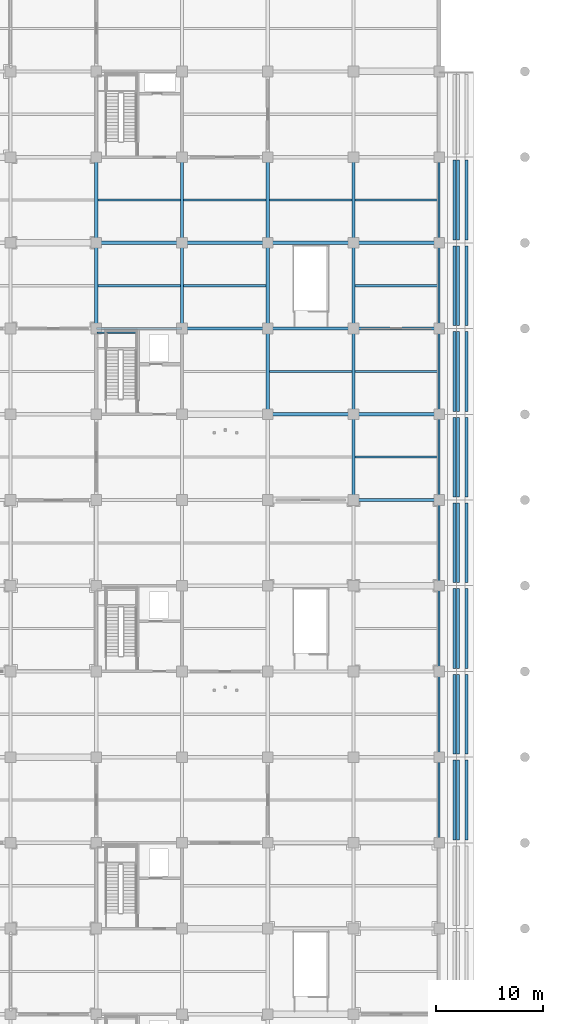
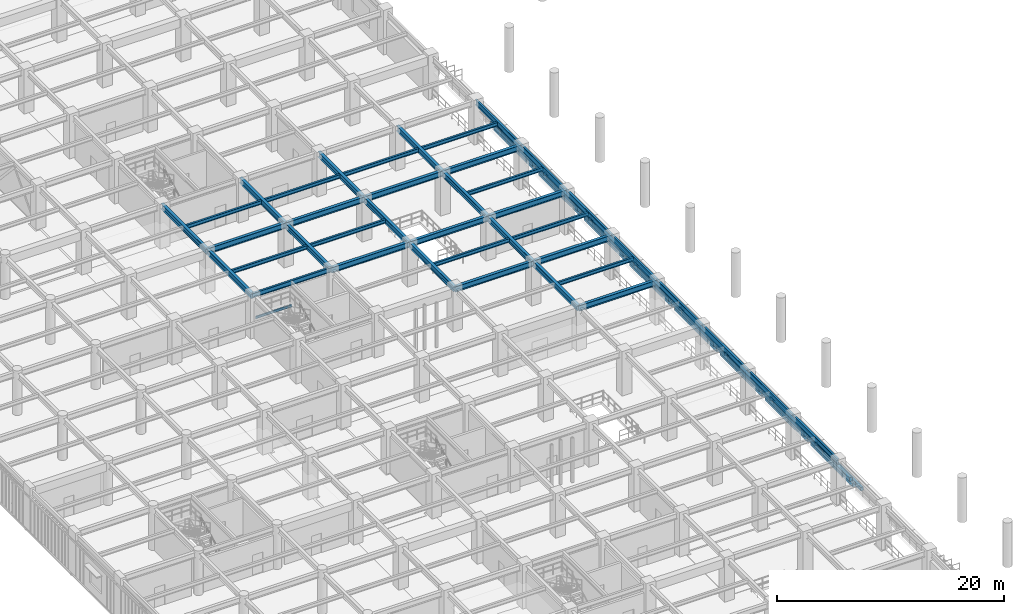
# One storey, part 24 of 117: 65 beams.
"""IFC4 building model written with IfcOpenShell, lengths in metres."""

from ifc_helpers import new_model, si_unit, direction, frame, origin, origin_2d, place, context, subcontext, project, spatial, rectangle, i_section, extrude, material, material_profile, profile_set, type_object, element, save


model = new_model("IFC4")

# Units and contexts
model_context = context("Model", 3, precision=1e-05, world=origin(), true_north=direction((0.0, 1.0)))
body_context = subcontext(model_context, "Body", "Model", "MODEL_VIEW")
ifc_project = project(units=[si_unit("LENGTHUNIT", "METRE"), si_unit("AREAUNIT", "SQUARE_METRE"), si_unit("VOLUMEUNIT", "CUBIC_METRE"), si_unit("PLANEANGLEUNIT", "RADIAN"), si_unit("MASSUNIT", "GRAM", prefix="KILO")], contexts=[model_context])

# Site, building, storey
site_placement = place(None, origin())
site = spatial("IfcSite", under=ifc_project, at=site_placement, CompositionType="ELEMENT")
building_placement = place(site_placement, origin())
building = spatial("IfcBuilding", under=site, at=building_placement, Name="Haebicheon Civic Stadium", CompositionType="ELEMENT")
storey_placement = place(building_placement, frame((0.0, 0.0, 4.800048828125)))
storey = spatial("IfcBuildingStorey", under=building, at=storey_placement, Name="L02", CompositionType="ELEMENT", Elevation=4.800048828125)

# Beams
ifc_material_1 = material(Name="Precast concrete C40/50", Category="concrete")
ifc_material_profile_1 = material_profile(ifc_material_1, rectangle(XDim=0.300048828125, YDim=0.39990234375, at=origin_2d()), Name="PC-LN-300x400")
ifc_profile_set_1 = profile_set([ifc_material_profile_1], Name="Precast concrete C40/50")
beam_type_1 = type_object("IfcBeamType", Name="BM-LN-300x400", PredefinedType="LINTEL", material=ifc_profile_set_1)
for number, where, z_axis, x_axis, name in (
    (1, (66.56005859375, 64.280029296875, 0.22705078125), (0.0, 1.0, 0.0), (-1.0, 0.0, 0.0), "TIER-W-L precast step carrier beam 3.7"),
    (2, (65.760009765625, 64.280029296875, 0.93798828125), (0.0, 1.0, 0.0), (-1.0, 0.0, 0.0), "TIER-W-L precast step carrier beam 3.8"),
    (3, (65.43994140625, 64.280029296875, 1.64892578125), (0.0, 1.0, 0.0), (-1.0, 0.0, 0.0), "TIER-W-L precast step carrier beam 3.9"),
    (4, (66.56005859375, 72.280029296875, 0.22705078125), (0.0, 1.0, 0.0), (-1.0, 0.0, 0.0), "TIER-W-L precast step carrier beam 4.7"),
    (5, (65.760009765625, 72.280029296875, 0.93798828125), (0.0, 1.0, 0.0), (-1.0, 0.0, 0.0), "TIER-W-L precast step carrier beam 4.8"),
    (6, (65.43994140625, 72.280029296875, 1.64892578125), (0.0, 1.0, 0.0), (-1.0, 0.0, 0.0), "TIER-W-L precast step carrier beam 4.9"),
    (7, (66.56005859375, 80.280029296875, 0.22705078125), (0.0, 1.0, 0.0), (-1.0, 0.0, 0.0), "TIER-W-L precast step carrier beam 5.7"),
    (8, (65.760009765625, 80.280029296875, 0.93798828125), (0.0, 1.0, 0.0), (-1.0, 0.0, 0.0), "TIER-W-L precast step carrier beam 5.8"),
    (9, (65.43994140625, 80.280029296875, 1.64892578125), (0.0, 1.0, 0.0), (-1.0, 0.0, 0.0), "TIER-W-L precast step carrier beam 5.9"),
    (10, (66.56005859375, 88.280029296875, 0.22705078125), (0.0, 1.0, 0.0), (-1.0, 0.0, 0.0), "TIER-W-L precast step carrier beam 6.7"),
    (11, (65.760009765625, 88.280029296875, 0.93798828125), (0.0, 1.0, 0.0), (-1.0, 0.0, 0.0), "TIER-W-L precast step carrier beam 6.8"),
    (12, (65.43994140625, 88.280029296875, 1.64892578125), (0.0, 1.0, 0.0), (-1.0, 0.0, 0.0), "TIER-W-L precast step carrier beam 6.9"),
    (13, (66.56005859375, 96.280029296875, 0.22705078125), (0.0, 1.0, 0.0), (-1.0, 0.0, 0.0), "TIER-W-L precast step carrier beam 7.7"),
    (14, (65.760009765625, 96.280029296875, 0.93798828125), (0.0, 1.0, 0.0), (-1.0, 0.0, 0.0), "TIER-W-L precast step carrier beam 7.8"),
    (15, (65.43994140625, 96.280029296875, 1.64892578125), (0.0, 1.0, 0.0), (-1.0, 0.0, 0.0), "TIER-W-L precast step carrier beam 7.9"),
    (16, (66.56005859375, 104.280029296875, 0.22705078125), (0.0, 1.0, 0.0), (-1.0, 0.0, 0.0), "TIER-W-L precast step carrier beam 8.7"),
    (17, (65.760009765625, 104.280029296875, 0.93798828125), (0.0, 1.0, 0.0), (-1.0, 0.0, 0.0), "TIER-W-L precast step carrier beam 8.8"),
    (18, (65.43994140625, 104.280029296875, 1.64892578125), (0.0, 1.0, 0.0), (-1.0, 0.0, 0.0), "TIER-W-L precast step carrier beam 8.9"),
    (19, (66.56005859375, 112.280029296875, 0.22705078125), (0.0, 1.0, 0.0), (-1.0, 0.0, 0.0), "TIER-W-L precast step carrier beam 9.7"),
    (20, (65.760009765625, 112.280029296875, 0.93798828125), (0.0, 1.0, 0.0), (-1.0, 0.0, 0.0), "TIER-W-L precast step carrier beam 9.8"),
    (21, (65.43994140625, 112.280029296875, 1.64892578125), (0.0, 1.0, 0.0), (-1.0, 0.0, 0.0), "TIER-W-L precast step carrier beam 9.9"),
    (22, (66.56005859375, 120.280029296875, 0.22705078125), (0.0, 1.0, 0.0), (-1.0, 0.0, 0.0), "TIER-W-L precast step carrier beam 10.7"),
    (23, (65.760009765625, 120.280029296875, 0.93798828125), (0.0, 1.0, 0.0), (-1.0, 0.0, 0.0), "TIER-W-L precast step carrier beam 10.8"),
    (24, (65.43994140625, 120.280029296875, 1.64892578125), (0.0, 1.0, 0.0), (-1.0, 0.0, 0.0), "TIER-W-L precast step carrier beam 10.9"),
):
    element("IfcBeam", number, at=place(storey_placement, frame(where, z_axis=z_axis, x_axis=x_axis)), inside=storey, type_object=beam_type_1, material=ifc_profile_set_1, Name=name, PredefinedType="LINTEL", context=body_context, shape_type="SweptSolid", body=[
        extrude(rectangle(XDim=0.300048828125, YDim=0.39990234375, at=origin_2d()), origin(), (0.0, 0.0, 1.0), 7.43994140625),
    ])
ifc_material_2 = material(Name="Steel SM355 (S355)", Category="steel")
ifc_material_profile_2 = material_profile(ifc_material_2, i_section(OverallWidth=0.199951171875, OverallDepth=0.5, WebThickness=0.010009765625, FlangeThickness=0.01611328125, at=origin_2d()), Name="H-500x200x10x16")
ifc_profile_set_2 = profile_set([ifc_material_profile_2], Name="Steel SM355 (S355)")
beam_type_2 = type_object("IfcBeamType", Name="BM-ST-H500", PredefinedType="BEAM", material=ifc_profile_set_2)
beam_1_placement = place(storey_placement, frame((32.0, 112.0, 4.27001953125), z_axis=(1.0, 0.0, 0.0), x_axis=(0.0, 1.0, 0.0)))
element("IfcBeam", 25, at=beam_1_placement, inside=storey, type_object=beam_type_2, material=ifc_profile_set_2, Name="L02 beam Q/5-6", PredefinedType="BEAM", context=body_context, shape_type="SweptSolid", body=[
    extrude(i_section(OverallWidth=0.199951171875, OverallDepth=0.5, WebThickness=0.010009765625, FlangeThickness=0.01611328125, at=origin_2d()), origin(), (0.0, 0.0, 1.0), 8.0),
])
ifc_material_3 = material(Name="Steel SM355 (S355)", Category="steel")
ifc_material_profile_3 = material_profile(ifc_material_3, i_section(OverallWidth=0.300048828125, OverallDepth=0.60009765625, WebThickness=0.011962890625, FlangeThickness=0.02001953125, at=origin_2d()), Name="H-600x300x12x20")
ifc_profile_set_3 = profile_set([ifc_material_profile_3], Name="Steel SM355 (S355)")
beam_type_3 = type_object("IfcBeamType", Name="BM-ST-H600A", PredefinedType="BEAM", material=ifc_profile_set_3)
for number, where, z_axis, x_axis, name in (
    (26, (32.0, 112.0, 4.219970703125), (0.0, 1.0, 0.0), (-1.0, 0.0, 0.0), "L02 girder 5/Q-R"),
    (27, (32.0, 120.0, 4.219970703125), (0.0, 1.0, 0.0), (-1.0, 0.0, 0.0), "L02 girder 5/R-S"),
    (28, (40.0, 112.0, 4.219970703125), (0.0, 1.0, 0.0), (-1.0, 0.0, 0.0), "L02 girder 6/Q-R"),
    (29, (40.0, 120.0, 4.219970703125), (0.0, 1.0, 0.0), (-1.0, 0.0, 0.0), "L02 girder 6/R-S"),
    (30, (48.0, 104.0, 4.219970703125), (0.0, 1.0, 0.0), (-1.0, 0.0, 0.0), "L02 girder 7/P-Q"),
    (31, (48.0, 112.0, 4.219970703125), (0.0, 1.0, 0.0), (-1.0, 0.0, 0.0), "L02 girder 7/Q-R"),
    (32, (48.0, 120.0, 4.219970703125), (0.0, 1.0, 0.0), (-1.0, 0.0, 0.0), "L02 girder 7/R-S"),
    (33, (56.0, 96.0, 4.219970703125), (0.0, 1.0, 0.0), (-1.0, 0.0, 0.0), "L02 girder 8/N-P"),
    (34, (56.0, 104.0, 4.219970703125), (0.0, 1.0, 0.0), (-1.0, 0.0, 0.0), "L02 girder 8/P-Q"),
    (35, (56.0, 112.0, 4.219970703125), (0.0, 1.0, 0.0), (-1.0, 0.0, 0.0), "L02 girder 8/Q-R"),
    (36, (56.0, 120.0, 4.219970703125), (0.0, 1.0, 0.0), (-1.0, 0.0, 0.0), "L02 girder 8/R-S"),
    (37, (32.0, 120.0, 4.219970703125), (1.0, 0.0, 0.0), (0.0, 1.0, 0.0), "L02 beam R/5-6"),
    (38, (40.0, 112.0, 4.219970703125), (1.0, 0.0, 0.0), (0.0, 1.0, 0.0), "L02 beam Q/6-7"),
    (39, (40.0, 120.0, 4.219970703125), (1.0, 0.0, 0.0), (0.0, 1.0, 0.0), "L02 beam R/6-7"),
    (40, (48.0, 104.0, 4.219970703125), (1.0, 0.0, 0.0), (0.0, 1.0, 0.0), "L02 beam P/7-8"),
    (41, (48.0, 112.0, 4.219970703125), (1.0, 0.0, 0.0), (0.0, 1.0, 0.0), "L02 beam Q/7-8"),
    (42, (48.0, 120.0, 4.219970703125), (1.0, 0.0, 0.0), (0.0, 1.0, 0.0), "L02 beam R/7-8"),
    (43, (56.0, 96.0, 4.219970703125), (1.0, 0.0, 0.0), (0.0, 1.0, 0.0), "L02 beam N/8-9"),
    (44, (56.0, 104.0, 4.219970703125), (1.0, 0.0, 0.0), (0.0, 1.0, 0.0), "L02 beam P/8-9"),
    (45, (56.0, 112.0, 4.219970703125), (1.0, 0.0, 0.0), (0.0, 1.0, 0.0), "L02 beam Q/8-9"),
    (46, (56.0, 120.0, 4.219970703125), (1.0, 0.0, 0.0), (0.0, 1.0, 0.0), "L02 beam R/8-9"),
):
    element("IfcBeam", number, at=place(storey_placement, frame(where, z_axis=z_axis, x_axis=x_axis)), inside=storey, type_object=beam_type_3, material=ifc_profile_set_3, Name=name, PredefinedType="BEAM", context=body_context, shape_type="SweptSolid", body=[
        extrude(i_section(OverallWidth=0.300048828125, OverallDepth=0.60009765625, WebThickness=0.011962890625, FlangeThickness=0.02001953125, at=origin_2d()), origin(), (0.0, 0.0, 1.0), 8.0),
    ])
ifc_material_4 = material(Name="Steel SM355 (S355)", Category="steel")
ifc_material_profile_4 = material_profile(ifc_material_4, i_section(OverallWidth=0.125, OverallDepth=0.25, WebThickness=0.006103515625, FlangeThickness=0.009033203125, at=origin_2d()), Name="H-250x125x6x9")
ifc_profile_set_4 = profile_set([ifc_material_profile_4], Name="Steel SM355 (S355)")
beam_type_4 = type_object("IfcBeamType", Name="JST-ST-H250", PredefinedType="JOIST", material=ifc_profile_set_4)
beam_2_placement = place(storey_placement, frame((32.080078125, 111.6201171875, 2.072021484375), z_axis=(1.0, 0.0, 0.0), x_axis=(0.0, 1.0, 0.0)))
element("IfcBeam", 47, at=beam_2_placement, inside=storey, type_object=beam_type_4, material=ifc_profile_set_4, Name="KC-04 L02 stair half-landing rear trimmer beam", PredefinedType="JOIST", context=body_context, shape_type="SweptSolid", body=[
    extrude(i_section(OverallWidth=0.125, OverallDepth=0.25, WebThickness=0.006103515625, FlangeThickness=0.009033203125, at=origin_2d()), origin(), (0.0, 0.0, 1.0), 3.719970703125),
])
ifc_material_5 = material(Name="Steel SM355 (S355)", Category="steel")
ifc_material_profile_5 = material_profile(ifc_material_5, i_section(OverallWidth=0.199951171875, OverallDepth=0.39990234375, WebThickness=0.008056640625, FlangeThickness=0.012939453125, at=origin_2d()), Name="H-400x200x8x13")
ifc_profile_set_5 = profile_set([ifc_material_profile_5], Name="Steel SM355 (S355)")
beam_type_5 = type_object("IfcBeamType", Name="JST-ST-H400", PredefinedType="JOIST", material=ifc_profile_set_5)
for number, where, z_axis, x_axis, name in (
    (48, (32.14990234375, 116.0, 4.320068359375), (1.0, 0.0, 0.0), (0.0, 1.0, 0.0), "L02 secondary joist 04-14"),
    (49, (32.14990234375, 124.0, 4.320068359375), (1.0, 0.0, 0.0), (0.0, 1.0, 0.0), "L02 secondary joist 04-15"),
    (50, (40.14990234375, 116.0, 4.320068359375), (1.0, 0.0, 0.0), (0.0, 1.0, 0.0), "L02 secondary joist 05-14"),
    (51, (40.14990234375, 124.0, 4.320068359375), (1.0, 0.0, 0.0), (0.0, 1.0, 0.0), "L02 secondary joist 05-15"),
    (52, (48.14990234375, 108.0, 4.320068359375), (1.0, 0.0, 0.0), (0.0, 1.0, 0.0), "L02 secondary joist 06-13"),
    (53, (48.14990234375, 124.0, 4.320068359375), (1.0, 0.0, 0.0), (0.0, 1.0, 0.0), "L02 secondary joist 06-15"),
):
    element("IfcBeam", number, at=place(storey_placement, frame(where, z_axis=z_axis, x_axis=x_axis)), inside=storey, type_object=beam_type_5, material=ifc_profile_set_5, Name=name, PredefinedType="JOIST", context=body_context, shape_type="SweptSolid", body=[
        extrude(i_section(OverallWidth=0.199951171875, OverallDepth=0.39990234375, WebThickness=0.008056640625, FlangeThickness=0.012939453125, at=origin_2d()), origin(), (0.0, 0.0, 1.0), 7.7001953125),
    ])
for number, where, z_axis, x_axis, name in (
    (54, (56.14990234375, 100.0, 4.320068359375), (1.0, 0.0, 0.0), (0.0, 1.0, 0.0), "L02 secondary joist 07-12"),
    (55, (56.14990234375, 108.0, 4.320068359375), (1.0, 0.0, 0.0), (0.0, 1.0, 0.0), "L02 secondary joist 07-13"),
    (56, (56.14990234375, 116.0, 4.320068359375), (1.0, 0.0, 0.0), (0.0, 1.0, 0.0), "L02 secondary joist 07-14"),
    (57, (56.14990234375, 124.0, 4.320068359375), (1.0, 0.0, 0.0), (0.0, 1.0, 0.0), "L02 secondary joist 07-15"),
):
    element("IfcBeam", number, at=place(storey_placement, frame(where, z_axis=z_axis, x_axis=x_axis)), inside=storey, type_object=beam_type_5, material=ifc_profile_set_5, Name=name, PredefinedType="JOIST", context=body_context, shape_type="SweptSolid", body=[
        extrude(i_section(OverallWidth=0.199951171875, OverallDepth=0.39990234375, WebThickness=0.008056640625, FlangeThickness=0.012939453125, at=origin_2d()), origin(), (0.0, 0.0, 1.0), 7.75),
    ])
ifc_material_6 = material(Name="Steel SM355 (S355)", Category="steel")
ifc_material_profile_6 = material_profile(ifc_material_6, i_section(OverallWidth=0.199951171875, OverallDepth=0.60009765625, WebThickness=0.010986328125, FlangeThickness=0.01708984375, at=origin_2d()), Name="H-600x200x11x17")
ifc_profile_set_6 = profile_set([ifc_material_profile_6], Name="Steel SM355 (S355)")
beam_type_6 = type_object("IfcBeamType", Name="SPD-ST-H600B", PredefinedType="SPANDREL", material=ifc_profile_set_6)
for number, where, z_axis, x_axis, name in (
    (58, (64.0, 64.0, 4.219970703125), (0.0, 1.0, 0.0), (-1.0, 0.0, 0.0), "L02 girder 9/J-K"),
    (59, (64.0, 72.0, 4.219970703125), (0.0, 1.0, 0.0), (-1.0, 0.0, 0.0), "L02 girder 9/K-L"),
    (60, (64.0, 80.0, 4.219970703125), (0.0, 1.0, 0.0), (-1.0, 0.0, 0.0), "L02 girder 9/L-M"),
    (61, (64.0, 88.0, 4.219970703125), (0.0, 1.0, 0.0), (-1.0, 0.0, 0.0), "L02 girder 9/M-N"),
    (62, (64.0, 96.0, 4.219970703125), (0.0, 1.0, 0.0), (-1.0, 0.0, 0.0), "L02 girder 9/N-P"),
    (63, (64.0, 104.0, 4.219970703125), (0.0, 1.0, 0.0), (-1.0, 0.0, 0.0), "L02 girder 9/P-Q"),
    (64, (64.0, 112.0, 4.219970703125), (0.0, 1.0, 0.0), (-1.0, 0.0, 0.0), "L02 girder 9/Q-R"),
    (65, (64.0, 120.0, 4.219970703125), (0.0, 1.0, 0.0), (-1.0, 0.0, 0.0), "L02 girder 9/R-S"),
):
    element("IfcBeam", number, at=place(storey_placement, frame(where, z_axis=z_axis, x_axis=x_axis)), inside=storey, type_object=beam_type_6, material=ifc_profile_set_6, Name=name, PredefinedType="SPANDREL", context=body_context, shape_type="SweptSolid", body=[
        extrude(i_section(OverallWidth=0.199951171875, OverallDepth=0.60009765625, WebThickness=0.010986328125, FlangeThickness=0.01708984375, at=origin_2d()), origin(), (0.0, 0.0, 1.0), 8.0),
    ])

save(model, "model.ifc")
